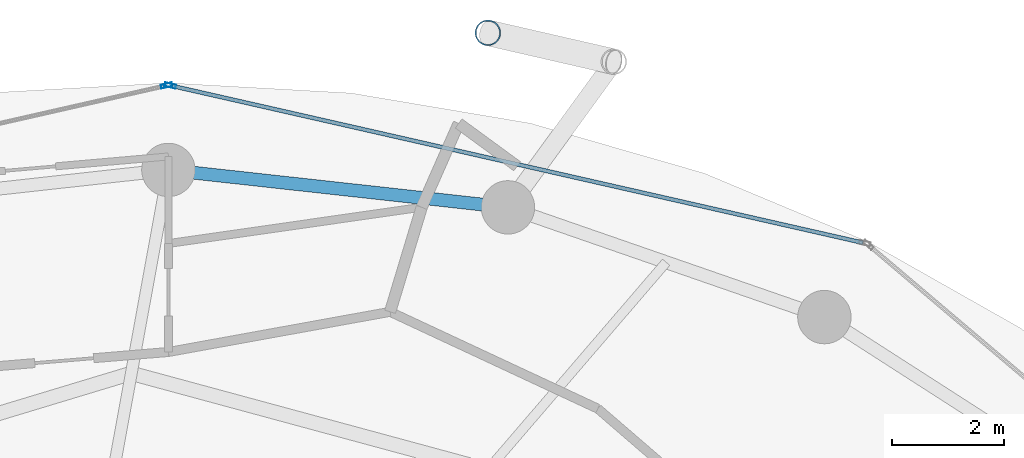
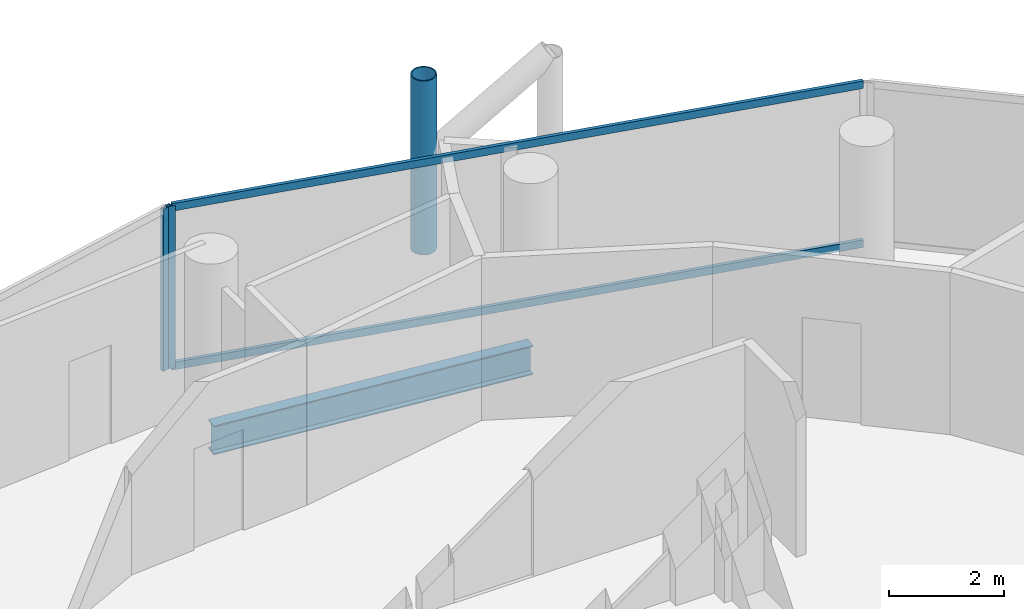
# One storey, part 17 of 26: 5 members, 1 beam, 2 elements without a shape of their own.
"""IFC4 building model written with IfcOpenShell, lengths in metres."""

import ifcopenshell
import ifcopenshell.guid

model = None  # the IFC model being written
_history = None  # IfcOwnerHistory: only IFC2X3 demands one
_inside = {}  # id of a spatial element -> (the spatial element, [elements in it])
_under = {}  # id of a project, library or spatial element -> (it, [spatial elements below it])
_declared = {}  # id of a project -> (the project, [libraries it declares])
_typed = {}  # id of a type object -> (the type object, [elements of that type])
_made_of = {}  # id of a material, layer set ... -> (it, [elements and type objects made of it])


def new_model(schema):
    """Start an empty IFC model of exactly this schema.

    Asked for "IFC4X3", IfcOpenShell would pick the latest addendum, in which some entities
    have other attributes; the version numbers below select the first issue.
    IFC2X3 requires an IfcOwnerHistory on every rooted entity: one is made here for all.
    """
    global model, _history
    if schema == "IFC4X3":
        model = ifcopenshell.file(schema_version=(4, 3, 0, 0))
    else:
        model = ifcopenshell.file(schema=schema)
    _inside.clear()
    _under.clear()
    _declared.clear()
    _typed.clear()
    _made_of.clear()
    _history = None
    if model.schema == "IFC2X3":
        org = make("IfcOrganization", Name="unknown")
        user = make(
            "IfcPersonAndOrganization",
            ThePerson=make("IfcPerson", FamilyName="unknown"),
            TheOrganization=org,
        )
        app = make(
            "IfcApplication",
            ApplicationDeveloper=org,
            Version="unknown",
            ApplicationFullName="unknown",
            ApplicationIdentifier="unknown",
        )
        _history = make(
            "IfcOwnerHistory",
            OwningUser=user,
            OwningApplication=app,
            ChangeAction="ADDED",
            CreationDate=0,
        )
    return model


def make(cls, **values):
    """One entity of the class cls with the attributes given. An attribute that is None is left unset."""
    return model.create_entity(
        cls, **{name: value for name, value in values.items() if value is not None}
    )


def rooted(cls, **values):
    """An entity with a GlobalId (a new one), such as an element, a storey or a relation."""
    return make(cls, GlobalId=ifcopenshell.guid.new(), OwnerHistory=_history, **values)


def si_unit(unit_type, name, prefix=None):
    """IfcSIUnit, for example si_unit("LENGTHUNIT", "METRE", prefix="MILLI")."""
    return make("IfcSIUnit", UnitType=unit_type, Prefix=prefix, Name=name)


def assignment(units):
    """IfcUnitAssignment: the units of a project."""
    return None if units is None else make("IfcUnitAssignment", Units=units)


def point(xyz):
    """IfcCartesianPoint."""
    return None if xyz is None else make("IfcCartesianPoint", Coordinates=xyz)


def direction(xyz):
    """IfcDirection."""
    return None if xyz is None else make("IfcDirection", DirectionRatios=xyz)


def frame(location, z_axis=None, x_axis=None):
    """IfcAxis2Placement3D, a coordinate frame: its origin and axes. An axis left out is left unset."""
    return make(
        "IfcAxis2Placement3D",
        Location=point(location),
        Axis=direction(z_axis),
        RefDirection=direction(x_axis),
    )


def frame_2d(location, x_axis=None):
    """IfcAxis2Placement2D, a coordinate frame in the plane: its origin and x axis."""
    return make(
        "IfcAxis2Placement2D", Location=point(location), RefDirection=direction(x_axis)
    )


def origin():
    """The frame at (0, 0, 0) with its axes left unset."""
    return frame((0.0, 0.0, 0.0))


def origin_2d():
    """The frame at (0, 0) in the plane with its x axis left unset."""
    return frame_2d((0.0, 0.0))


def place(relative_to, where):
    """IfcLocalPlacement: puts the frame where relative to a parent placement (None: the world)."""
    return make(
        "IfcLocalPlacement", PlacementRelTo=relative_to, RelativePlacement=where
    )


def context(
    kind, dimensions, precision=None, world=None, true_north=None, identifier=None
):
    """IfcGeometricRepresentationContext, for example the 3D "Model" context."""
    return make(
        "IfcGeometricRepresentationContext",
        ContextIdentifier=identifier,
        ContextType=kind,
        CoordinateSpaceDimension=dimensions,
        Precision=precision,
        WorldCoordinateSystem=world,
        TrueNorth=true_north,
    )


def subcontext(parent, identifier, kind, view, scale=None):
    """IfcGeometricRepresentationSubContext, for example "Body" below "Model"."""
    return make(
        "IfcGeometricRepresentationSubContext",
        ContextIdentifier=identifier,
        ContextType=kind,
        ParentContext=parent,
        TargetScale=scale,
        TargetView=view,
    )


def project(units=None, contexts=None):
    """IfcProject with its units and contexts."""
    return rooted(
        "IfcProject",
        Name="project",
        RepresentationContexts=contexts,
        UnitsInContext=assignment(units),
    )


def spatial(cls, under=None, at=None, **own):
    """A site, building, storey or space (cls), placed at a placement, below another one or the project."""
    s = rooted(cls, ObjectPlacement=at, **own)
    if under is not None:
        _under.setdefault(under.id(), (under, []))[1].append(s)
    return s


def profile(cls, at=None, kind="AREA", **sizes):
    """A parametric profile (cls). Its sizes go by their IFC names, for example OverallWidth=200.0."""
    return make(cls, ProfileType=kind, Position=at, **sizes)


def hollow_rectangle(**sizes):
    """IfcRectangleHollowProfileDef."""
    return profile("IfcRectangleHollowProfileDef", **sizes)


def hollow_circle(**sizes):
    """IfcCircleHollowProfileDef."""
    return profile("IfcCircleHollowProfileDef", **sizes)


def i_section(**sizes):
    """IfcIShapeProfileDef."""
    return profile("IfcIShapeProfileDef", **sizes)


def extrude(swept, where, along, depth):
    """IfcExtrudedAreaSolid: the profile swept, set in the frame where, extruded along a direction by depth."""
    return make(
        "IfcExtrudedAreaSolid",
        SweptArea=swept,
        Position=where,
        ExtrudedDirection=direction(along),
        Depth=depth,
    )


def shape(context_of_items, identifier, shape_type, items):
    """IfcShapeRepresentation: the items that make up one representation, for example the "Body"."""
    return make(
        "IfcShapeRepresentation",
        ContextOfItems=context_of_items,
        RepresentationIdentifier=identifier,
        RepresentationType=shape_type,
        Items=items,
    )


def material(Name=None, Category=None):
    """IfcMaterial."""
    return make("IfcMaterial", Name=Name, Category=Category)


def layer(
    of_material, thickness, ventilated=None, Name=None, Category=None, Priority=None
):
    """IfcMaterialLayer: one layer of a wall or slab, of a material (None: an air gap)."""
    return make(
        "IfcMaterialLayer",
        Material=of_material,
        LayerThickness=thickness,
        IsVentilated=ventilated,
        Name=Name,
        Category=Category,
        Priority=Priority,
    )


def layer_set(layers, Name=None):
    """IfcMaterialLayerSet."""
    return make("IfcMaterialLayerSet", MaterialLayers=layers, LayerSetName=Name)


def material_profile(
    of_material, cross_section, Name=None, Category=None, Priority=None
):
    """IfcMaterialProfile: a cross section and its material."""
    return make(
        "IfcMaterialProfile",
        Name=Name,
        Material=of_material,
        Profile=cross_section,
        Priority=Priority,
        Category=Category,
    )


def profile_set(profiles, Name=None, composite=None):
    """IfcMaterialProfileSet."""
    return make(
        "IfcMaterialProfileSet",
        Name=Name,
        MaterialProfiles=profiles,
        CompositeProfile=composite,
    )


def made_of(thing, what):
    """Note that an element or type object is made of a material, layer set ...; save() writes the relation."""
    if what is not None:
        _made_of.setdefault(what.id(), (what, []))[1].append(thing)
    return thing


def type_object(cls, material=None, **own):
    """A type object (cls), such as IfcWallType, which elements share."""
    return made_of(rooted(cls, **own), material)


def element(
    cls,
    number,
    at=None,
    inside=None,
    cuts=None,
    type_object=None,
    material=None,
    context=None,
    identifier="Body",
    shape_type=None,
    held_by="IfcProductDefinitionShape",
    body=None,
    shapes=None,
    **own,
):
    """One element of the class cls, such as IfcWall. Its Tag is "e" and its number.

    at: its placement. inside: the storey or other place that contains it. cuts: it is an
    opening in that element (IfcRelVoidsElement). A single representation is given by context,
    identifier, shape_type and body (its items); several are given by shapes. held_by: the class
    of the entity that holds the representations. save() writes the other relations.
    """
    e = rooted(cls, Tag="e%d" % number, ObjectPlacement=at, **own)
    if body is not None:
        shapes = [shape(context, identifier, shape_type, body)]
    if shapes is not None:
        e.Representation = make(held_by, Representations=shapes)
    if inside is not None:
        _inside.setdefault(inside.id(), (inside, []))[1].append(e)
    if cuts is not None:
        rooted(
            "IfcRelVoidsElement", RelatingBuildingElement=cuts, RelatedOpeningElement=e
        )
    if type_object is not None:
        _typed.setdefault(type_object.id(), (type_object, []))[1].append(e)
    return made_of(e, material)


def aggregate(whole, parts):
    """IfcRelAggregates: a whole, such as a stair, and the parts it consists of."""
    return rooted("IfcRelAggregates", RelatingObject=whole, RelatedObjects=parts)


def save(model, path):
    """Write the relations noted so far, then the file.

    IfcRelAggregates (storeys below a building ...), IfcRelContainedInSpatialStructure (elements
    in a storey), IfcRelDefinesByType, IfcRelAssociatesMaterial and IfcRelDeclares: one each for
    every whole, place, type object, material and project.
    """
    for whole, parts in _under.values():
        aggregate(whole, parts)
    for where, things in _inside.values():
        rooted(
            "IfcRelContainedInSpatialStructure",
            RelatedElements=things,
            RelatingStructure=where,
        )
    for kind, things in _typed.values():
        rooted("IfcRelDefinesByType", RelatedObjects=things, RelatingType=kind)
    for what, things in _made_of.values():
        rooted("IfcRelAssociatesMaterial", RelatedObjects=things, RelatingMaterial=what)
    for by, libraries in _declared.values():
        rooted("IfcRelDeclares", RelatingContext=by, RelatedDefinitions=libraries)
    model.write(path)


model = new_model("IFC4")

# Units and contexts
model_context = context("Model", 3, precision=1e-05, world=origin(), true_north=direction((0.0, 1.0)))
body_context = subcontext(model_context, "Body", "Model", "MODEL_VIEW")
ifc_project = project(units=[si_unit("LENGTHUNIT", "METRE"), si_unit("AREAUNIT", "SQUARE_METRE"), si_unit("VOLUMEUNIT", "CUBIC_METRE"), si_unit("PLANEANGLEUNIT", "RADIAN"), si_unit("MASSUNIT", "GRAM", prefix="KILO")], contexts=[model_context])

# Site, building, storey
site_placement = place(None, origin())
site = spatial("IfcSite", under=ifc_project, at=site_placement, CompositionType="ELEMENT")
building_placement = place(site_placement, origin())
building = spatial("IfcBuilding", under=site, at=building_placement, Name="Nuhasar Tower", CompositionType="ELEMENT")
storey_placement = place(building_placement, frame((0.0, 0.0, 151.550048828125)))
storey = spatial("IfcBuildingStorey", under=building, at=storey_placement, Name="L36", CompositionType="ELEMENT", Elevation=151.550048828125)

# Beam
ifc_material_1 = material(Name="Steel S355", Category="steel")
ifc_material_profile_1 = material_profile(ifc_material_1, i_section(OverallWidth=0.22998046875, OverallDepth=0.616943359375, WebThickness=0.01318359375, FlangeThickness=0.022216796875, at=origin_2d()), Name="W24X94")
ifc_profile_set_1 = profile_set([ifc_material_profile_1], Name="Steel S355")
beam_type = type_object("IfcBeamType", Name="BM-RING-W24X94", PredefinedType="SPANDREL", material=ifc_profile_set_1)
beam_placement = place(storey_placement, frame((45.04296875, 45.68408203125, -0.55810546875), z_axis=(-0.993981289157, 0.109549974015, 0.0), x_axis=(-0.109549974015, -0.993981289157, 0.0)))
element("IfcBeam", 1, at=beam_placement, inside=storey, type_object=beam_type, Name="L36 Perimeter Ring Spandrel 06", PredefinedType="SPANDREL", context=body_context, shape_type="SweptSolid", body=[
    extrude(i_section(OverallWidth=0.22998046875, OverallDepth=0.616943359375, WebThickness=0.01318359375, FlangeThickness=0.022216796875, at=origin_2d()), origin(), (0.0, 0.0, 1.0), 6.07958984375),
])

# Curtain wall, member
ifc_material_2 = material(Name="Aluminium 6063-T6", Category="aluminium")
ifc_layer = layer(ifc_material_2, 0.199951171875)
ifc_layer_set = layer_set([ifc_layer], Name="Aluminium 6063-T6")
curtain_wall_type = type_object("IfcCurtainWallType", Name="CW-Z2-HTL", PredefinedType="NOTDEFINED", material=ifc_layer_set)
curtain_wall_1_placement = place(storey_placement, origin())
curtain_wall_1 = element("IfcCurtainWall", 2, at=curtain_wall_1_placement, inside=storey, type_object=curtain_wall_type, Name="L36 Unitised Curtain Wall 03", PredefinedType="NOTDEFINED")
ifc_material_profile_2 = material_profile(ifc_material_2, hollow_rectangle(XDim=0.070068359375, YDim=0.199951171875, WallThickness=0.0048828125, at=origin_2d()), Name="CWM-3")
ifc_profile_set_2 = profile_set([ifc_material_profile_2], Name="Aluminium 6063-T6")
member_type_1 = type_object("IfcMemberType", Name="CW-MUL-S3", PredefinedType="MULLION", material=ifc_profile_set_2)
member_1_placement = place(storey_placement, frame((39.0341796875, 47.852294921875, 0.0), z_axis=(0.0, 0.0, 1.0), x_axis=(-0.22139729566, -0.975183694221, 0.0)))
member_1 = element("IfcMember", 3, at=member_1_placement, type_object=member_type_1, Name="CW-Z2 mullion 2", PredefinedType="MULLION", context=body_context, shape_type="SweptSolid", body=[
    extrude(hollow_rectangle(XDim=0.070068359375, YDim=0.199951171875, WallThickness=0.0048828125, at=origin_2d()), origin(), (0.0, 0.0, 1.0), 3.449951171875),
])

curtain_wall_2_placement = place(storey_placement, origin())
curtain_wall_2 = element("IfcCurtainWall", 4, at=curtain_wall_2_placement, inside=storey, type_object=curtain_wall_type, Name="L36 Unitised Curtain Wall 04", PredefinedType="NOTDEFINED")
member_2_placement = place(storey_placement, frame((38.9658203125, 47.852294921875, 0.0), z_axis=(0.0, 0.0, 1.0), x_axis=(0.22139729566, -0.975183694221, 0.0)))
member_2 = element("IfcMember", 5, at=member_2_placement, type_object=member_type_1, Name="CW-Z2 mullion 1", PredefinedType="MULLION", context=body_context, shape_type="SweptSolid", body=[
    extrude(hollow_rectangle(XDim=0.070068359375, YDim=0.199951171875, WallThickness=0.0048828125, at=origin_2d()), origin(), (0.0, 0.0, 1.0), 3.449951171875),
])
aggregate(curtain_wall_2, [member_2])

# Member
ifc_material_profile_3 = material_profile(ifc_material_2, hollow_rectangle(XDim=0.070068359375, YDim=0.159912109375, WallThickness=0.00439453125, at=origin_2d()), Name="CWT-3")
ifc_profile_set_3 = profile_set([ifc_material_profile_3], Name="Aluminium 6063-T6")
member_type_2 = type_object("IfcMemberType", Name="CW-TRN-S3", PredefinedType="USERDEFINED", material=ifc_profile_set_3)
member_3_placement = place(storey_placement, frame((51.36181640625, 45.053466796875, 0.034912109375), z_axis=(-0.975183434528, 0.221398439519, 0.0), x_axis=(-0.221398439519, -0.975183434528, 0.0)))
member_3 = element("IfcMember", 6, at=member_3_placement, type_object=member_type_2, Name="CW-Z2 transom 1.1", ObjectType="TRANSOM", PredefinedType="USERDEFINED", context=body_context, shape_type="SweptSolid", body=[
    extrude(hollow_rectangle(XDim=0.070068359375, YDim=0.159912109375, WallThickness=0.00439453125, at=origin_2d()), origin(), (0.0, 0.0, 1.0), 12.606201171875),
])

member_4_placement = place(storey_placement, frame((51.36181640625, 45.053466796875, 3.4150390625), z_axis=(-0.975183434528, 0.221398439519, 0.0), x_axis=(-0.221398439519, -0.975183434528, 0.0)))
member_4 = element("IfcMember", 7, at=member_4_placement, type_object=member_type_2, Name="CW-Z2 transom 1.2", ObjectType="TRANSOM", PredefinedType="USERDEFINED", context=body_context, shape_type="SweptSolid", body=[
    extrude(hollow_rectangle(XDim=0.070068359375, YDim=0.159912109375, WallThickness=0.00439453125, at=origin_2d()), origin(), (0.0, 0.0, 1.0), 12.606201171875),
])

aggregate(curtain_wall_1, [member_1, member_3, member_4])

ifc_material_3 = material(Name="Steel S460", Category="steel")
ifc_material_profile_4 = material_profile(ifc_material_3, hollow_circle(Radius=0.228515625, WallThickness=0.022216796875, at=origin_2d()), Name="HSS457X22.2")
ifc_profile_set_4 = profile_set([ifc_material_profile_4], Name="Steel S460")
member_type_3 = type_object("IfcMemberType", Name="EXO-BRONZE-457", PredefinedType="BRACE", material=ifc_profile_set_4)
member_5_placement = place(storey_placement, frame((44.68603515625, 48.7900390625, 0.0), z_axis=(0.0, 0.0, 1.0), x_axis=(1.0, 0.0, 0.0)))
element("IfcMember", 8, at=member_5_placement, inside=storey, type_object=member_type_3, Name="L36 Exoskeleton Chord Column EC-03B", PredefinedType="BRACE", context=body_context, shape_type="SweptSolid", body=[
    extrude(hollow_circle(Radius=0.228515625, WallThickness=0.022216796875, at=origin_2d()), origin(), (0.0, 0.0, 1.0), 3.699951171875),
])

save(model, "model.ifc")
